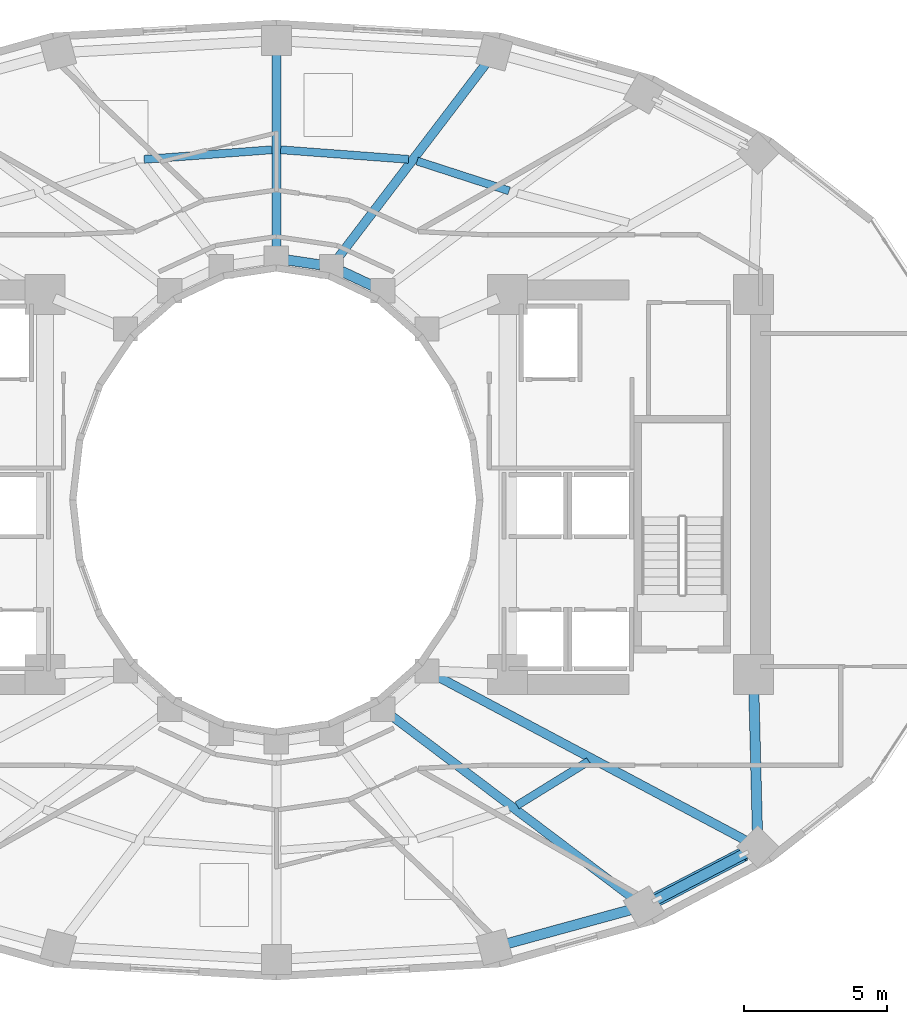
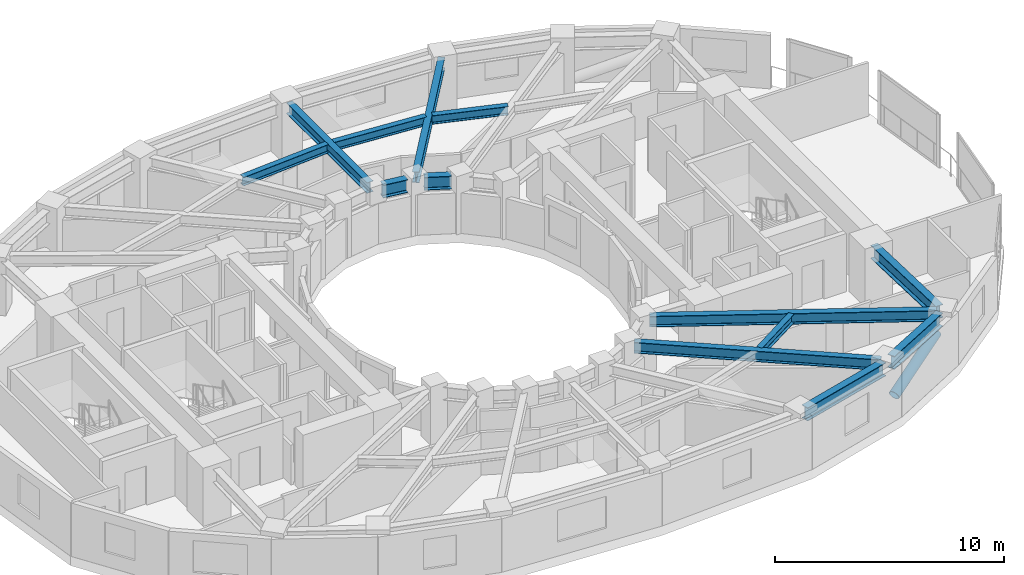
# One storey, part 2 of 13: 13 beams, 1 member.
"""IFC4 building model written with IfcOpenShell, lengths in metres."""

from ifc_helpers import new_model, si_unit, direction, frame, origin, origin_2d, place, context, subcontext, project, spatial, hollow_circle, i_section, extrude, material, material_profile, profile_set, type_object, element, save


model = new_model("IFC4")

# Units and contexts
model_context = context("Model", 3, precision=1e-05, world=origin(), true_north=direction((0.0, 1.0)))
body_context = subcontext(model_context, "Body", "Model", "MODEL_VIEW")
ifc_project = project(units=[si_unit("LENGTHUNIT", "METRE"), si_unit("AREAUNIT", "SQUARE_METRE"), si_unit("VOLUMEUNIT", "CUBIC_METRE"), si_unit("PLANEANGLEUNIT", "RADIAN"), si_unit("MASSUNIT", "GRAM", prefix="KILO")], contexts=[model_context])

# Site, building, storey
site_placement = place(None, origin())
site = spatial("IfcSite", under=ifc_project, at=site_placement, CompositionType="ELEMENT")
building_placement = place(site_placement, origin())
building = spatial("IfcBuilding", under=site, at=building_placement, Name="Solvane Sanctuary Tower", CompositionType="ELEMENT")
storey_placement = place(building_placement, frame((0.0, 0.0, 85.60009765625)))
storey = spatial("IfcBuildingStorey", under=building, at=storey_placement, Name="L25", CompositionType="ELEMENT", Elevation=85.60009765625)

# Beams
ifc_material = material(Name="Steel ASTM A992 Grade 50", Category="steel")
ifc_material_profile_1 = material_profile(ifc_material, i_section(OverallWidth=0.31494140625, OverallDepth=0.575927734375, WebThickness=0.01513671875, FlangeThickness=0.0244140625, FilletRadius=0.014892578125, at=origin_2d()), Name="W21X122")
ifc_profile_set_1 = profile_set([ifc_material_profile_1], Name="Steel ASTM A992 Grade 50")
beam_type_1 = type_object("IfcBeamType", Name="Beam B-RAD-Z2 W21X122", PredefinedType="BEAM", material=ifc_profile_set_1)
beam_1_placement = place(storey_placement, frame((34.1005859375, 31.394287109375, 2.58984375), z_axis=(0.605972515369, 0.795485581653, 0.0), x_axis=(-0.795485581653, 0.605972515369, 0.0)))
element("IfcBeam", 1, at=beam_1_placement, inside=storey, type_object=beam_type_1, Name="L25 Radial Composite Floor Beam 03", PredefinedType="BEAM", context=body_context, shape_type="SweptSolid", body=[
    extrude(i_section(OverallWidth=0.31494140625, OverallDepth=0.575927734375, WebThickness=0.01513671875, FlangeThickness=0.0244140625, FilletRadius=0.014892578125, at=origin_2d()), origin(), (0.0, 0.0, 1.0), 8.84375),
])
beam_2_placement = place(storey_placement, frame((32.0, 31.739990234375, 2.58984375), z_axis=(0.0, 1.0, 0.0), x_axis=(-1.0, 0.0, 0.0)))
element("IfcBeam", 2, at=beam_2_placement, inside=storey, type_object=beam_type_1, Name="L25 Radial Composite Floor Beam 04", PredefinedType="BEAM", context=body_context, shape_type="SweptSolid", body=[
    extrude(i_section(OverallWidth=0.31494140625, OverallDepth=0.575927734375, WebThickness=0.01513671875, FlangeThickness=0.0244140625, FilletRadius=0.014892578125, at=origin_2d()), origin(), (0.0, 0.0, 1.0), 7.06005859375),
])
beam_3_placement = place(storey_placement, frame((35.95361328125, 15.504638671875, 2.58984375), z_axis=(0.798116040134, -0.602503764703, 0.0), x_axis=(0.602503764703, 0.798116040134, 0.0)))
element("IfcBeam", 3, at=beam_3_placement, inside=storey, type_object=beam_type_1, Name="L25 Radial Composite Floor Beam 13", PredefinedType="BEAM", context=body_context, shape_type="SweptSolid", body=[
    extrude(i_section(OverallWidth=0.31494140625, OverallDepth=0.575927734375, WebThickness=0.01513671875, FlangeThickness=0.0244140625, FilletRadius=0.014892578125, at=origin_2d()), origin(), (0.0, 0.0, 1.0), 10.876953125),
])
beam_4_placement = place(storey_placement, frame((37.522216796875, 16.886474609375, 2.58984375), z_axis=(0.882951984843, -0.469463302572, 0.0), x_axis=(0.469463302572, 0.882951984843, 0.0)))
element("IfcBeam", 4, at=beam_4_placement, inside=storey, type_object=beam_type_1, Name="L25 Radial Composite Floor Beam 14", PredefinedType="BEAM", context=body_context, shape_type="SweptSolid", body=[
    extrude(i_section(OverallWidth=0.31494140625, OverallDepth=0.575927734375, WebThickness=0.01513671875, FlangeThickness=0.0244140625, FilletRadius=0.014892578125, at=origin_2d()), origin(), (0.0, 0.0, 1.0), 12.552734375),
])
ifc_material_profile_2 = material_profile(ifc_material, i_section(OverallWidth=0.35498046875, OverallDepth=0.695068359375, WebThickness=0.015380859375, FlangeThickness=0.02490234375, FilletRadius=0.01806640625, at=origin_2d()), Name="W27X146")
ifc_profile_set_2 = profile_set([ifc_material_profile_2], Name="Steel ASTM A992 Grade 50")
beam_type_2 = type_object("IfcBeamType", Name="Beam B-RING-IN1 W27X146", PredefinedType="BEAM", material=ifc_profile_set_2)
beam_5_placement = place(storey_placement, frame((32.390625, 31.401611328125, 2.530517578125), z_axis=(0.989034751611, -0.147682971619, 0.0), x_axis=(0.147682971619, 0.989034751611, 0.0)))
element("IfcBeam", 5, at=beam_5_placement, inside=storey, type_object=beam_type_2, Name="L25 Inner Light-Well Ring Beam IC04-IC03", PredefinedType="BEAM", context=body_context, shape_type="SweptSolid", body=[
    extrude(i_section(OverallWidth=0.35498046875, OverallDepth=0.695068359375, WebThickness=0.015380859375, FlangeThickness=0.02490234375, FilletRadius=0.01806640625, at=origin_2d()), origin(), (0.0, 0.0, 1.0), 1.162109375),
])
beam_6_placement = place(storey_placement, frame((34.288330078125, 31.00390625, 2.530517578125), z_axis=(0.905044882818, -0.425316070804, 0.0), x_axis=(0.425316070804, 0.905044882818, 0.0)))
element("IfcBeam", 6, at=beam_6_placement, inside=storey, type_object=beam_type_2, Name="L25 Inner Light-Well Ring Beam IC03-IC02", PredefinedType="BEAM", context=body_context, shape_type="SweptSolid", body=[
    extrude(i_section(OverallWidth=0.35498046875, OverallDepth=0.695068359375, WebThickness=0.015380859375, FlangeThickness=0.02490234375, FilletRadius=0.01806640625, at=origin_2d()), origin(), (0.0, 0.0, 1.0), 1.197998046875),
])
ifc_material_profile_3 = material_profile(ifc_material, i_section(OverallWidth=0.280029296875, OverallDepth=0.462890625, WebThickness=0.0107421875, FlangeThickness=0.017333984375, FilletRadius=0.013916015625, at=origin_2d()), Name="W18X76")
ifc_profile_set_3 = profile_set([ifc_material_profile_3], Name="Steel ASTM A992 Grade 50")
beam_type_3 = type_object("IfcBeamType", Name="Beam B-SEC-JOIST W18X76", PredefinedType="JOIST", material=ifc_profile_set_3)
for number, where, z_axis, x_axis, name in (
    (7, (27.3720703125, 34.92333984375, 2.646484375), (0.997207316227, 0.074683120339, 0.0), (-0.074683120339, 0.997207316227, 0.0), "L25 Secondary Circumferential Joist 05-04"),
    (8, (32.152099609375, 35.258544921875, 2.646484375), (0.997207316227, -0.074683120339, 0.0), (0.074683120339, 0.997207316227, 0.0), "L25 Secondary Circumferential Joist 04-03"),
):
    element("IfcBeam", number, at=place(storey_placement, frame(where, z_axis=z_axis, x_axis=x_axis)), inside=storey, type_object=beam_type_3, Name=name, PredefinedType="JOIST", context=body_context, shape_type="SweptSolid", body=[
        extrude(i_section(OverallWidth=0.280029296875, OverallDepth=0.462890625, WebThickness=0.0107421875, FlangeThickness=0.017333984375, FilletRadius=0.013916015625, at=origin_2d()), origin(), (0.0, 0.0, 1.0), 4.48828125),
    ])
beam_7_placement = place(storey_placement, frame((36.92529296875, 34.86474609375, 2.646484375), z_axis=(0.951216534175, -0.308524075416, 0.0), x_axis=(0.308524075416, 0.951216534175, 0.0)))
element("IfcBeam", 9, at=beam_7_placement, inside=storey, type_object=beam_type_3, Name="L25 Secondary Circumferential Joist 03-02", PredefinedType="JOIST", context=body_context, shape_type="SweptSolid", body=[
    extrude(i_section(OverallWidth=0.280029296875, OverallDepth=0.462890625, WebThickness=0.0107421875, FlangeThickness=0.017333984375, FilletRadius=0.013916015625, at=origin_2d()), origin(), (0.0, 0.0, 1.0), 3.38916015625),
])
beam_8_placement = place(storey_placement, frame((40.423828125, 12.30810546875, 2.646484375), z_axis=(0.85065981691, 0.525716535687, 0.0), x_axis=(-0.525716535687, 0.85065981691, 0.0)))
element("IfcBeam", 10, at=beam_8_placement, inside=storey, type_object=beam_type_3, Name="L25 Secondary Circumferential Joist 13-14", PredefinedType="JOIST", context=body_context, shape_type="SweptSolid", body=[
    extrude(i_section(OverallWidth=0.280029296875, OverallDepth=0.462890625, WebThickness=0.0107421875, FlangeThickness=0.017333984375, FilletRadius=0.013916015625, at=origin_2d()), origin(), (0.0, 0.0, 1.0), 2.951171875),
])
ifc_material_profile_4 = material_profile(ifc_material, i_section(OverallWidth=0.35791015625, OverallDepth=0.7060546875, WebThickness=0.018310546875, FlangeThickness=0.0302734375, FilletRadius=0.01806640625, at=origin_2d()), Name="W27X178")
ifc_profile_set_4 = profile_set([ifc_material_profile_4], Name="Steel ASTM A992 Grade 50")
beam_type_4 = type_object("IfcBeamType", Name="Beam B-SPAND-Z2 W27X178", PredefinedType="SPANDREL", material=ifc_profile_set_4)
beam_9_placement = place(storey_placement, frame((39.8994140625, 7.422119140625, 2.52490234375), z_axis=(0.964367605241, 0.26456591232, 0.0), x_axis=(-0.26456591232, 0.964367605241, 0.0)))
element("IfcBeam", 11, at=beam_9_placement, inside=storey, type_object=beam_type_4, Name="L25 Perimeter Spandrel Beam TC12-TC13", PredefinedType="SPANDREL", context=body_context, shape_type="SweptSolid", body=[
    extrude(i_section(OverallWidth=0.35791015625, OverallDepth=0.7060546875, WebThickness=0.018310546875, FlangeThickness=0.0302734375, FilletRadius=0.01806640625, at=origin_2d()), origin(), (0.0, 0.0, 1.0), 4.8623046875),
])
beam_10_placement = place(storey_placement, frame((45.106689453125, 8.911865234375, 2.52490234375), z_axis=(0.887014995188, 0.461740618002, 0.0), x_axis=(-0.461740618002, 0.887014995188, 0.0)))
element("IfcBeam", 12, at=beam_10_placement, inside=storey, type_object=beam_type_4, Name="L25 Perimeter Spandrel Beam TC13-TC14", PredefinedType="SPANDREL", context=body_context, shape_type="SweptSolid", body=[
    extrude(i_section(OverallWidth=0.35791015625, OverallDepth=0.7060546875, WebThickness=0.018310546875, FlangeThickness=0.0302734375, FilletRadius=0.01806640625, at=origin_2d()), origin(), (0.0, 0.0, 1.0), 3.943359375),
])
beam_11_placement = place(storey_placement, frame((48.845947265625, 11.141845703125, 2.52490234375), z_axis=(-0.025349487585, 0.999678650107, 0.0), x_axis=(-0.999678650107, -0.025349487585, 0.0)))
element("IfcBeam", 13, at=beam_11_placement, inside=storey, type_object=beam_type_4, Name="L25 Perimeter Spandrel Beam TC14-CE2", PredefinedType="SPANDREL", context=body_context, shape_type="SweptSolid", body=[
    extrude(i_section(OverallWidth=0.35791015625, OverallDepth=0.7060546875, WebThickness=0.018310546875, FlangeThickness=0.0302734375, FilletRadius=0.01806640625, at=origin_2d()), origin(), (0.0, 0.0, 1.0), 5.47998046875),
])

# Member
ifc_material_profile_5 = material_profile(ifc_material, hollow_circle(Radius=0.25390625, WallThickness=0.01611328125, at=origin_2d()), Name="CHS508X16")
ifc_profile_set_5 = profile_set([ifc_material_profile_5], Name="Steel ASTM A992 Grade 50")
member_type = type_object("IfcMemberType", Name="Member M-TUBE-Z2 CHS508X16", PredefinedType="BRACE", material=ifc_profile_set_5)
member_placement = place(storey_placement, frame((45.332763671875, 9.029296875, 0.5927734375), z_axis=(0.824140553465, 0.429072126665, 0.369715374651), x_axis=(-0.461792399626, 0.886988038052, 0.0)))
element("IfcMember", 14, at=member_placement, inside=storey, type_object=member_type, Name="L25 Perimeter Braced-Tube Diagonal SE", PredefinedType="BRACE", context=body_context, shape_type="SweptSolid", body=[
    extrude(hollow_circle(Radius=0.25390625, WallThickness=0.01611328125, at=origin_2d()), origin(), (0.0, 0.0, 1.0), 3.6689453125),
])

save(model, "model.ifc")
